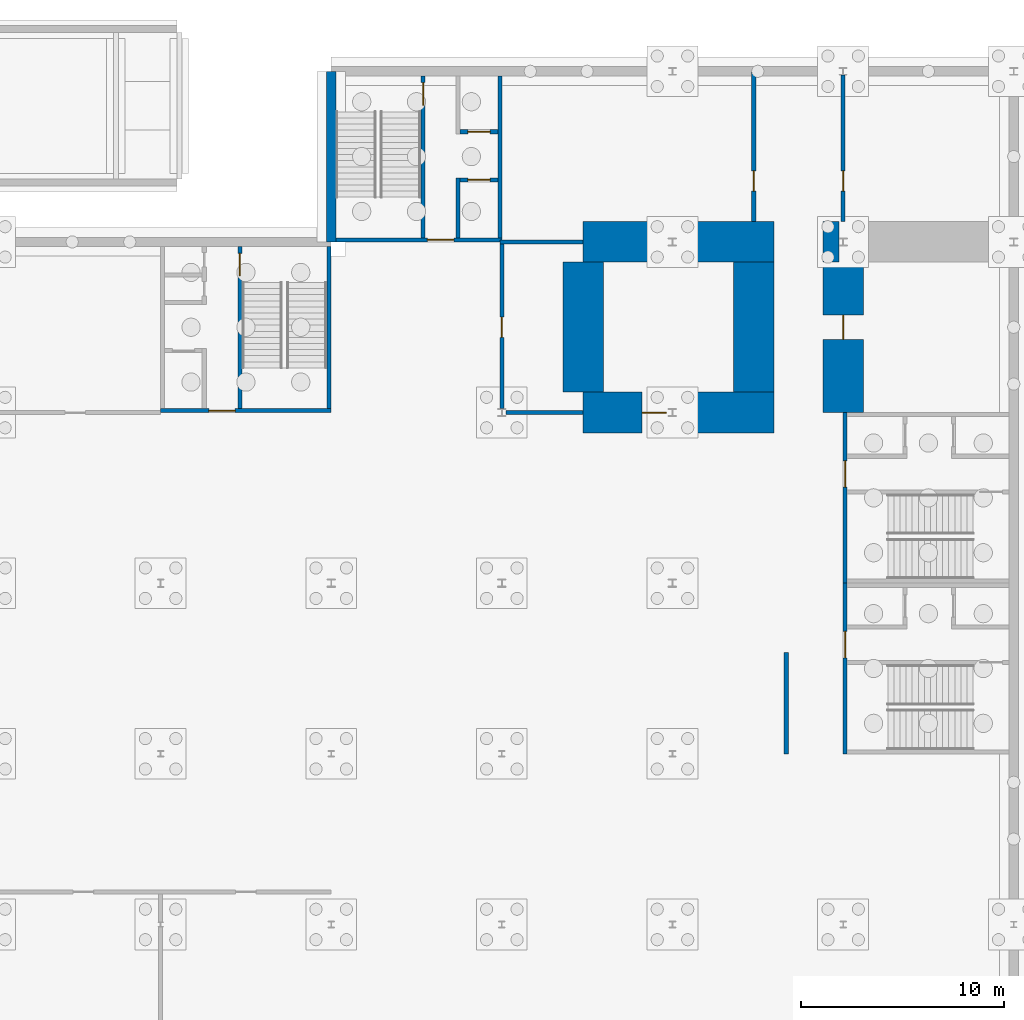
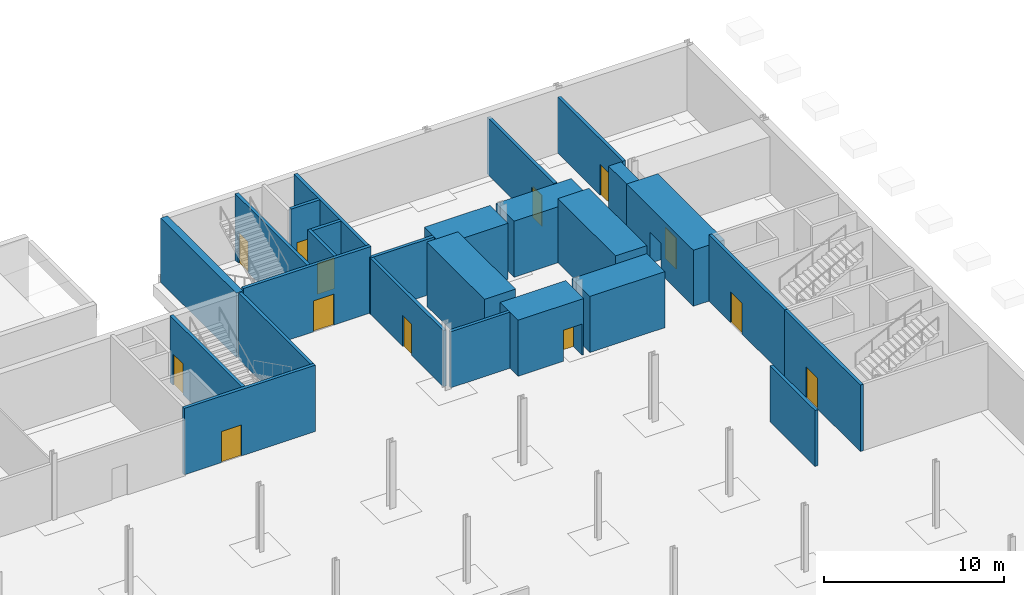
# One storey, part 29 of 35: 26 walls, 13 doors, 13 openings.
"""IFC4 building model written with IfcOpenShell, lengths in metres."""

from ifc_helpers import new_model, si_unit, direction, frame, frame_2d, origin, place, context, subcontext, project, spatial, rectangle, extrude, material, layer, layer_set, type_object, element, fill, save


model = new_model("IFC4")

# Units and contexts
model_context = context("Model", 3, precision=1e-05, world=origin(), true_north=direction((0.0, 1.0)))
body_context = subcontext(model_context, "Body", "Model", "MODEL_VIEW")
ifc_project = project(units=[si_unit("LENGTHUNIT", "METRE"), si_unit("AREAUNIT", "SQUARE_METRE"), si_unit("VOLUMEUNIT", "CUBIC_METRE"), si_unit("PLANEANGLEUNIT", "RADIAN"), si_unit("MASSUNIT", "GRAM", prefix="KILO")], contexts=[model_context])

# Site, building, storey
site_placement = place(None, origin())
site = spatial("IfcSite", under=ifc_project, at=site_placement, CompositionType="ELEMENT")
building_placement = place(site_placement, origin())
building = spatial("IfcBuilding", under=site, at=building_placement, Name="Ardhachandra Cancer Care Centre", CompositionType="ELEMENT")
storey_placement = place(building_placement, frame((0.0, 0.0, -4.5)))
storey = spatial("IfcBuildingStorey", under=building, at=storey_placement, Name="B1", CompositionType="ELEMENT", Elevation=-4.5)

# Wall
ifc_material_1 = material(Name="Gypsum board corridor partition on steel studs", Category="steel")
ifc_layer_1 = layer(ifc_material_1, 0.199951171875)
ifc_layer_set_1 = layer_set([ifc_layer_1], Name="Gypsum board corridor partition on steel studs")
wall_type_1 = type_object("IfcWallType", Name="CORRIDOR WALL 200 EI 120", PredefinedType="PARTITIONING", material=ifc_layer_set_1)
wall_1_placement = place(storey_placement, frame((120.197509765625, 88.199951171875, 0.0), z_axis=(0.0, 0.0, 1.0), x_axis=(1.0, 0.0, 0.0)))
element("IfcWall", 1, at=wall_1_placement, inside=storey, type_object=wall_type_1, Name="R/wall/B1/h0088200_0120198", PredefinedType="PARTITIONING", context=body_context, shape_type="SweptSolid", body=[
    extrude(rectangle(XDim=3.802490234375, YDim=0.199951171875, at=frame_2d((1.9013671875, 0.0))), origin(), (0.0, 0.0, 1.0), 3.800048828125),
])

# Wall, opening, door
wall_2_placement = place(storey_placement, frame((120.0, 88.3974609375, 0.0), z_axis=(0.0, 0.0, 1.0), x_axis=(0.0, 1.0, 0.0)))
wall_2 = element("IfcWall", 2, at=wall_2_placement, inside=storey, type_object=wall_type_1, Name="R/wall/B1/v0120000_0088398", PredefinedType="PARTITIONING", context=body_context, shape_type="SweptSolid", body=[
    extrude(rectangle(XDim=8.1025390625, YDim=0.199951171875, at=frame_2d((4.05126953125, 0.0))), origin(), (0.0, 0.0, 1.0), 3.800048828125),
])
opening_1_placement = place(wall_2_placement, frame((3.50244140625, 0.0, 0.0)))
opening_1 = element("IfcOpeningElement", 3, at=opening_1_placement, cuts=wall_2, Name="Opening B1-0018", PredefinedType="OPENING", context=body_context, shape_type="SweptSolid", body=[
    extrude(rectangle(XDim=1.0, YDim=2.10009765625, at=frame_2d((0.5, 1.050048828125))), frame((0.0, 0.10986328125, 0.0), z_axis=(0.0, -1.0, 0.0), x_axis=(1.0, 0.0, 0.0)), (0.0, 0.0, 1.0), 0.219970703125),
])
ifc_material_2 = material(Name="Steel fire door", Category="steel")
door_type_1 = type_object("IfcDoorType", Name="FIRE DOOR SINGLE 1000x2100 FD60", OperationType="NOTDEFINED", PredefinedType="DOOR", material=ifc_material_2)
door_1_placement = place(opening_1_placement, origin())
door_1 = element("IfcDoor", 4, at=door_1_placement, inside=storey, type_object=door_type_1, Name="Door B1-0018", OperationType="SINGLE_SWING_RIGHT", OverallHeight=2.10009765625, OverallWidth=1.0, PredefinedType="DOOR", context=body_context, shape_type="SweptSolid", body=[
    extrude(rectangle(XDim=1.0, YDim=2.10009765625, at=frame_2d((0.5, 1.050048828125))), frame((0.0, 0.02490234375, 0.0), z_axis=(0.0, -1.0, 0.0), x_axis=(1.0, 0.0, 0.0)), (0.0, 0.0, 1.0), 0.050048828125),
])
fill(opening_1, door_1)

# Wall
wall_3_placement = place(storey_placement, frame((134.0, 71.39990234375, 0.0), z_axis=(0.0, 0.0, 1.0), x_axis=(0.0, 1.0, 0.0)))
element("IfcWall", 5, at=wall_3_placement, inside=storey, type_object=wall_type_1, Name="R/wall/B1/v0134000_0071400", PredefinedType="PARTITIONING", context=body_context, shape_type="SweptSolid", body=[
    extrude(rectangle(XDim=5.0, YDim=0.199951171875, at=frame_2d((2.5, 0.0))), origin(), (0.0, 0.0, 1.0), 3.800048828125),
])

# Wall, opening, door
wall_4_placement = place(storey_placement, frame((136.800048828125, 97.60009765625, 0.0), z_axis=(0.0, 0.0, 1.0), x_axis=(0.0, 1.0, 0.0)))
wall_4 = element("IfcWall", 6, at=wall_4_placement, inside=storey, type_object=wall_type_1, Name="R/wall/B1/v0136800_0097600", PredefinedType="PARTITIONING", context=body_context, shape_type="SweptSolid", body=[
    extrude(rectangle(XDim=7.21435546875, YDim=0.199951171875, at=frame_2d((3.607177734375, 0.0))), origin(), (0.0, 0.0, 1.0), 3.800048828125),
])
opening_2_placement = place(wall_4_placement, frame((1.5, 0.0, 0.0)))
opening_2 = element("IfcOpeningElement", 7, at=opening_2_placement, cuts=wall_4, Name="Opening B1-0021", PredefinedType="OPENING", context=body_context, shape_type="SweptSolid", body=[
    extrude(rectangle(XDim=1.0, YDim=2.10009765625, at=frame_2d((0.5, 1.050048828125))), frame((0.0, 0.10986328125, 0.0), z_axis=(0.0, -1.0, 0.0), x_axis=(1.0, 0.0, 0.0)), (0.0, 0.0, 1.0), 0.219970703125),
])
door_2_placement = place(opening_2_placement, origin())
door_2 = element("IfcDoor", 8, at=door_2_placement, inside=storey, type_object=door_type_1, Name="Door B1-0021", OperationType="SINGLE_SWING_LEFT", OverallHeight=2.10009765625, OverallWidth=1.0, PredefinedType="DOOR", context=body_context, shape_type="SweptSolid", body=[
    extrude(rectangle(XDim=1.0, YDim=2.10009765625, at=frame_2d((0.5, 1.050048828125))), frame((0.0, 0.02490234375, 0.0), z_axis=(0.0, -1.0, 0.0), x_axis=(1.0, 0.0, 0.0)), (0.0, 0.0, 1.0), 0.050048828125),
])
fill(opening_2, door_2)

ifc_material_3 = material(Name="Concrete M40", Category="concrete")
ifc_layer_2 = layer(ifc_material_3, 0.199951171875)
ifc_layer_set_2 = layer_set([ifc_layer_2], Name="Concrete M40")
wall_type_2 = type_object("IfcWallType", Name="Core wall RC 200", PredefinedType="SOLIDWALL", material=ifc_layer_set_2)
wall_5_placement = place(storey_placement, frame((111.60009765625, 88.300048828125, 0.0), z_axis=(0.0, 0.0, 1.0), x_axis=(-1.0, 0.0, 0.0)))
wall_5 = element("IfcWall", 9, at=wall_5_placement, inside=storey, type_object=wall_type_2, Name="Core wall K7 ENT", PredefinedType="SOLIDWALL", context=body_context, shape_type="SweptSolid", body=[
    extrude(rectangle(XDim=8.400146484375, YDim=0.199951171875, at=frame_2d((4.2001953125, 0.0))), origin(), (0.0, 0.0, 1.0), 4.5),
])
opening_3_placement = place(wall_5_placement, frame((4.72509765625, 0.0, 0.0)))
opening_3 = element("IfcOpeningElement", 10, at=opening_3_placement, cuts=wall_5, Name="Opening B1-K07-1", PredefinedType="OPENING", context=body_context, shape_type="SweptSolid", body=[
    extrude(rectangle(XDim=1.300048828125, YDim=2.10009765625, at=frame_2d((0.64990234375, 1.050048828125))), frame((0.0, 0.10986328125, 0.0), z_axis=(0.0, -1.0, 0.0), x_axis=(1.0, 0.0, 0.0)), (0.0, 0.0, 1.0), 0.219970703125),
])
ifc_material_4 = material(Name="Steel door set", Category="steel")
door_type_2 = type_object("IfcDoorType", Name="Core entry double door 1300x2100 FD60", OperationType="DOUBLE_DOOR_DOUBLE_SWING", PredefinedType="DOOR", material=ifc_material_4)
door_3_placement = place(opening_3_placement, origin())
door_3 = element("IfcDoor", 11, at=door_3_placement, inside=storey, type_object=door_type_2, Name="Core entry door", OperationType="DOUBLE_DOOR_DOUBLE_SWING", OverallHeight=2.10009765625, OverallWidth=1.300048828125, PredefinedType="DOOR", context=body_context, shape_type="SweptSolid", body=[
    extrude(rectangle(XDim=1.300048828125, YDim=2.10009765625, at=frame_2d((0.64990234375, 1.050048828125))), frame((0.0, 0.02490234375, 0.0), z_axis=(0.0, -1.0, 0.0), x_axis=(1.0, 0.0, 0.0)), (0.0, 0.0, 1.0), 0.050048828125),
])
fill(opening_3, door_3)

# Wall
wall_6_placement = place(storey_placement, frame((111.5, 88.39990234375, 0.0), z_axis=(0.0, 0.0, 1.0), x_axis=(0.0, 1.0, 0.0)))
element("IfcWall", 12, at=wall_6_placement, inside=storey, type_object=wall_type_2, Name="Core wall K7 UW", PredefinedType="SOLIDWALL", context=body_context, shape_type="SweptSolid", body=[
    extrude(rectangle(XDim=7.97509765625, YDim=0.199951171875, at=frame_2d((3.987548828125, 0.0))), origin(), (0.0, 0.0, 1.0), 4.5),
])

# Wall, opening, door
wall_7_placement = place(storey_placement, frame((107.10009765625, 88.39990234375, 0.0), z_axis=(0.0, 0.0, 1.0), x_axis=(0.0, 1.0, 0.0)))
wall_7 = element("IfcWall", 13, at=wall_7_placement, inside=storey, type_object=wall_type_2, Name="Core wall K7 P1", PredefinedType="SOLIDWALL", context=body_context, shape_type="SweptSolid", body=[
    extrude(rectangle(XDim=7.97509765625, YDim=0.199951171875, at=frame_2d((3.987548828125, 0.0))), origin(), (0.0, 0.0, 1.0), 4.5),
])
opening_4_placement = place(wall_7_placement, frame((6.53759765625, 0.0, 0.0)))
opening_4 = element("IfcOpeningElement", 14, at=opening_4_placement, cuts=wall_7, Name="Opening B1-K07-2", PredefinedType="OPENING", context=body_context, shape_type="SweptSolid", body=[
    extrude(rectangle(XDim=1.10009765625, YDim=2.10009765625, at=frame_2d((0.550048828125, 1.050048828125))), frame((0.0, 0.10986328125, 0.0), z_axis=(0.0, -1.0, 0.0), x_axis=(1.0, 0.0, 0.0)), (0.0, 0.0, 1.0), 0.219970703125),
])
ifc_material_5 = material(Name="Steel door set", Category="steel")
door_type_3 = type_object("IfcDoorType", Name="Stair door 1100x2100 FD60S", OperationType="NOTDEFINED", PredefinedType="DOOR", material=ifc_material_5)
door_4_placement = place(opening_4_placement, origin())
door_4 = element("IfcDoor", 15, at=door_4_placement, inside=storey, type_object=door_type_3, Name="Stair door", OperationType="SINGLE_SWING_LEFT", OverallHeight=2.10009765625, OverallWidth=1.10009765625, PredefinedType="DOOR", context=body_context, shape_type="SweptSolid", body=[
    extrude(rectangle(XDim=1.10009765625, YDim=2.10009765625, at=frame_2d((0.550048828125, 1.050048828125))), frame((0.0, 0.02490234375, 0.0), z_axis=(0.0, -1.0, 0.0), x_axis=(1.0, 0.0, 0.0)), (0.0, 0.0, 1.0), 0.050048828125),
])
fill(opening_4, door_4)

wall_8_placement = place(storey_placement, frame((136.89990234375, 71.39990234375, 0.0), z_axis=(0.0, 0.0, 1.0), x_axis=(0.0, 1.0, 0.0)))
wall_8 = element("IfcWall", 16, at=wall_8_placement, inside=storey, type_object=wall_type_2, Name="Core wall K10 ENT", PredefinedType="SOLIDWALL", context=body_context, shape_type="SweptSolid", body=[
    extrude(rectangle(XDim=8.400146484375, YDim=0.199951171875, at=frame_2d((4.2001953125, 0.0))), origin(), (0.0, 0.0, 1.0), 4.5),
])
opening_5_placement = place(wall_8_placement, frame((4.72509765625, 0.0, 0.0)))
opening_5 = element("IfcOpeningElement", 17, at=opening_5_placement, cuts=wall_8, Name="Opening B1-K10-1", PredefinedType="OPENING", context=body_context, shape_type="SweptSolid", body=[
    extrude(rectangle(XDim=1.300048828125, YDim=2.10009765625, at=frame_2d((0.64990234375, 1.050048828125))), frame((0.0, 0.10986328125, 0.0), z_axis=(0.0, -1.0, 0.0), x_axis=(1.0, 0.0, 0.0)), (0.0, 0.0, 1.0), 0.219970703125),
])
door_5_placement = place(opening_5_placement, origin())
door_5 = element("IfcDoor", 18, at=door_5_placement, inside=storey, type_object=door_type_2, Name="Core entry door", OperationType="DOUBLE_DOOR_DOUBLE_SWING", OverallHeight=2.10009765625, OverallWidth=1.300048828125, PredefinedType="DOOR", context=body_context, shape_type="SweptSolid", body=[
    extrude(rectangle(XDim=1.300048828125, YDim=2.10009765625, at=frame_2d((0.64990234375, 1.050048828125))), frame((0.0, 0.02490234375, 0.0), z_axis=(0.0, -1.0, 0.0), x_axis=(1.0, 0.0, 0.0)), (0.0, 0.0, 1.0), 0.050048828125),
])
fill(opening_5, door_5)

wall_9_placement = place(storey_placement, frame((111.824951171875, 96.699951171875, 0.0), z_axis=(0.0, 0.0, 1.0), x_axis=(1.0, 0.0, 0.0)))
wall_9 = element("IfcWall", 19, at=wall_9_placement, inside=storey, type_object=wall_type_2, Name="Core wall K12 ENT", PredefinedType="SOLIDWALL", context=body_context, shape_type="SweptSolid", body=[
    extrude(rectangle(XDim=8.175048828125, YDim=0.199951171875, at=frame_2d((4.08740234375, 0.0))), origin(), (0.0, 0.0, 1.0), 4.5),
])
opening_6_placement = place(wall_9_placement, frame((4.512451171875, 0.0, 0.0)))
opening_6 = element("IfcOpeningElement", 20, at=opening_6_placement, cuts=wall_9, Name="Opening B1-K12-1", PredefinedType="OPENING", context=body_context, shape_type="SweptSolid", body=[
    extrude(rectangle(XDim=1.300048828125, YDim=2.10009765625, at=frame_2d((0.64990234375, 1.050048828125))), frame((0.0, 0.10986328125, 0.0), z_axis=(0.0, -1.0, 0.0), x_axis=(1.0, 0.0, 0.0)), (0.0, 0.0, 1.0), 0.219970703125),
])
door_6_placement = place(opening_6_placement, origin())
door_6 = element("IfcDoor", 21, at=door_6_placement, inside=storey, type_object=door_type_2, Name="Core entry door", OperationType="DOUBLE_DOOR_DOUBLE_SWING", OverallHeight=2.10009765625, OverallWidth=1.300048828125, PredefinedType="DOOR", context=body_context, shape_type="SweptSolid", body=[
    extrude(rectangle(XDim=1.300048828125, YDim=2.10009765625, at=frame_2d((0.64990234375, 1.050048828125))), frame((0.0, 0.02490234375, 0.0), z_axis=(0.0, -1.0, 0.0), x_axis=(1.0, 0.0, 0.0)), (0.0, 0.0, 1.0), 0.050048828125),
])
fill(opening_6, door_6)

# Wall
wall_10_placement = place(storey_placement, frame((119.89990234375, 96.800048828125, 0.0), z_axis=(0.0, 0.0, 1.0), x_axis=(0.0, 1.0, 0.0)))
element("IfcWall", 22, at=wall_10_placement, inside=storey, type_object=wall_type_2, Name="Core wall K12 UE", PredefinedType="SOLIDWALL", context=body_context, shape_type="SweptSolid", body=[
    extrude(rectangle(XDim=7.974853515625, YDim=0.199951171875, at=frame_2d((3.9873046875, 0.0))), origin(), (0.0, 0.0, 1.0), 4.5),
])

# Wall, opening, door
wall_11_placement = place(storey_placement, frame((116.125, 96.800048828125, 0.0), z_axis=(0.0, 0.0, 1.0), x_axis=(0.0, 1.0, 0.0)))
wall_11 = element("IfcWall", 23, at=wall_11_placement, inside=storey, type_object=wall_type_2, Name="Core wall K12 P1", PredefinedType="SOLIDWALL", context=body_context, shape_type="SweptSolid", body=[
    extrude(rectangle(XDim=7.974853515625, YDim=0.199951171875, at=frame_2d((3.9873046875, 0.0))), origin(), (0.0, 0.0, 1.0), 4.5),
])
opening_7_placement = place(wall_11_placement, frame((6.53759765625, 0.0, 0.0)))
opening_7 = element("IfcOpeningElement", 24, at=opening_7_placement, cuts=wall_11, Name="Opening B1-K12-2", PredefinedType="OPENING", context=body_context, shape_type="SweptSolid", body=[
    extrude(rectangle(XDim=1.10009765625, YDim=2.10009765625, at=frame_2d((0.550048828125, 1.050048828125))), frame((0.0, 0.10986328125, 0.0), z_axis=(0.0, -1.0, 0.0), x_axis=(1.0, 0.0, 0.0)), (0.0, 0.0, 1.0), 0.219970703125),
])
door_7_placement = place(opening_7_placement, origin())
door_7 = element("IfcDoor", 25, at=door_7_placement, inside=storey, type_object=door_type_3, Name="Stair door", OperationType="SINGLE_SWING_RIGHT", OverallHeight=2.10009765625, OverallWidth=1.10009765625, PredefinedType="DOOR", context=body_context, shape_type="SweptSolid", body=[
    extrude(rectangle(XDim=1.10009765625, YDim=2.10009765625, at=frame_2d((0.550048828125, 1.050048828125))), frame((0.0, 0.02490234375, 0.0), z_axis=(0.0, -1.0, 0.0), x_axis=(1.0, 0.0, 0.0)), (0.0, 0.0, 1.0), 0.050048828125),
])
fill(opening_7, door_7)

# Wall
wall_12_placement = place(storey_placement, frame((117.85009765625, 96.800048828125, 0.0), z_axis=(0.0, 0.0, 1.0), x_axis=(0.0, 1.0, 0.0)))
element("IfcWall", 26, at=wall_12_placement, inside=storey, type_object=wall_type_2, Name="Core wall K12 P2A", PredefinedType="SOLIDWALL", context=body_context, shape_type="SweptSolid", body=[
    extrude(rectangle(XDim=2.949951171875, YDim=0.199951171875, at=frame_2d((1.47509765625, 0.0))), origin(), (0.0, 0.0, 1.0), 4.5),
])

# Wall, opening, door
wall_13_placement = place(storey_placement, frame((117.949951171875, 99.64990234375, 0.0), z_axis=(0.0, 0.0, 1.0), x_axis=(1.0, 0.0, 0.0)))
wall_13 = element("IfcWall", 27, at=wall_13_placement, inside=storey, type_object=wall_type_2, Name="Core wall K12 W1", PredefinedType="SOLIDWALL", context=body_context, shape_type="SweptSolid", body=[
    extrude(rectangle(XDim=1.85009765625, YDim=0.199951171875, at=frame_2d((0.925048828125, 0.0))), origin(), (0.0, 0.0, 1.0), 4.5),
])
opening_8_placement = place(wall_13_placement, frame((0.375, 0.0, 0.0)))
opening_8 = element("IfcOpeningElement", 28, at=opening_8_placement, cuts=wall_13, Name="Opening B1-K12-3", PredefinedType="OPENING", context=body_context, shape_type="SweptSolid", body=[
    extrude(rectangle(XDim=1.10009765625, YDim=2.10009765625, at=frame_2d((0.550048828125, 1.050048828125))), frame((0.0, 0.10986328125, 0.0), z_axis=(0.0, -1.0, 0.0), x_axis=(1.0, 0.0, 0.0)), (0.0, 0.0, 1.0), 0.219970703125),
])
ifc_material_6 = material(Name="Stainless steel (grade 304)", Category="steel")
door_type_4 = type_object("IfcDoorType", Name="Lift landing door 1100x2100", OperationType="DOUBLE_DOOR_SLIDING", PredefinedType="DOOR", material=ifc_material_6)
door_8_placement = place(opening_8_placement, origin())
door_8 = element("IfcDoor", 29, at=door_8_placement, inside=storey, type_object=door_type_4, Name="Lift landing door LF-K12-1", OperationType="DOUBLE_DOOR_SLIDING", OverallHeight=2.10009765625, OverallWidth=1.10009765625, PredefinedType="DOOR", context=body_context, shape_type="SweptSolid", body=[
    extrude(rectangle(XDim=1.10009765625, YDim=2.10009765625, at=frame_2d((0.550048828125, 1.050048828125))), frame((0.0, 0.02490234375, 0.0), z_axis=(0.0, -1.0, 0.0), x_axis=(1.0, 0.0, 0.0)), (0.0, 0.0, 1.0), 0.050048828125),
])
fill(opening_8, door_8)

wall_14_placement = place(storey_placement, frame((117.949951171875, 102.02490234375, 0.0), z_axis=(0.0, 0.0, 1.0), x_axis=(1.0, 0.0, 0.0)))
wall_14 = element("IfcWall", 30, at=wall_14_placement, inside=storey, type_object=wall_type_2, Name="Core wall K12 W2", PredefinedType="SOLIDWALL", context=body_context, shape_type="SweptSolid", body=[
    extrude(rectangle(XDim=1.85009765625, YDim=0.199951171875, at=frame_2d((0.925048828125, 0.0))), origin(), (0.0, 0.0, 1.0), 4.5),
])
opening_9_placement = place(wall_14_placement, frame((0.375, 0.0, 0.0)))
opening_9 = element("IfcOpeningElement", 31, at=opening_9_placement, cuts=wall_14, Name="Opening B1-K12-4", PredefinedType="OPENING", context=body_context, shape_type="SweptSolid", body=[
    extrude(rectangle(XDim=1.10009765625, YDim=2.10009765625, at=frame_2d((0.550048828125, 1.050048828125))), frame((0.0, 0.10986328125, 0.0), z_axis=(0.0, -1.0, 0.0), x_axis=(1.0, 0.0, 0.0)), (0.0, 0.0, 1.0), 0.219970703125),
])
door_9_placement = place(opening_9_placement, origin())
door_9 = element("IfcDoor", 32, at=door_9_placement, inside=storey, type_object=door_type_4, Name="Lift landing door LF-K12-2", OperationType="DOUBLE_DOOR_SLIDING", OverallHeight=2.10009765625, OverallWidth=1.10009765625, PredefinedType="DOOR", context=body_context, shape_type="SweptSolid", body=[
    extrude(rectangle(XDim=1.10009765625, YDim=2.10009765625, at=frame_2d((0.550048828125, 1.050048828125))), frame((0.0, 0.02490234375, 0.0), z_axis=(0.0, -1.0, 0.0), x_axis=(1.0, 0.0, 0.0)), (0.0, 0.0, 1.0), 0.050048828125),
])
fill(opening_9, door_9)

wall_15_placement = place(storey_placement, frame((136.89990234375, 79.800048828125, 0.0), z_axis=(0.0, 0.0, 1.0), x_axis=(0.0, 1.0, 0.0)))
wall_15 = element("IfcWall", 33, at=wall_15_placement, inside=storey, type_object=wall_type_2, Name="Core wall K13 ENT", PredefinedType="SOLIDWALL", context=body_context, shape_type="SweptSolid", body=[
    extrude(rectangle(XDim=8.39990234375, YDim=0.199951171875, at=frame_2d((4.199951171875, 0.0))), origin(), (0.0, 0.0, 1.0), 4.5),
])
opening_10_placement = place(wall_15_placement, frame((4.72509765625, 0.0, 0.0)))
opening_10 = element("IfcOpeningElement", 34, at=opening_10_placement, cuts=wall_15, Name="Opening B1-K13-1", PredefinedType="OPENING", context=body_context, shape_type="SweptSolid", body=[
    extrude(rectangle(XDim=1.300048828125, YDim=2.10009765625, at=frame_2d((0.64990234375, 1.050048828125))), frame((0.0, 0.10986328125, 0.0), z_axis=(0.0, -1.0, 0.0), x_axis=(1.0, 0.0, 0.0)), (0.0, 0.0, 1.0), 0.219970703125),
])
door_10_placement = place(opening_10_placement, origin())
door_10 = element("IfcDoor", 35, at=door_10_placement, inside=storey, type_object=door_type_2, Name="Core entry door", OperationType="DOUBLE_DOOR_DOUBLE_SWING", OverallHeight=2.10009765625, OverallWidth=1.300048828125, PredefinedType="DOOR", context=body_context, shape_type="SweptSolid", body=[
    extrude(rectangle(XDim=1.300048828125, YDim=2.10009765625, at=frame_2d((0.64990234375, 1.050048828125))), frame((0.0, 0.02490234375, 0.0), z_axis=(0.0, -1.0, 0.0), x_axis=(1.0, 0.0, 0.0)), (0.0, 0.0, 1.0), 0.050048828125),
])
fill(opening_10, door_10)

# Wall
ifc_material_7 = material(Name="Brick masonry", Category="masonry")
ifc_layer_3 = layer(ifc_material_7, 0.199951171875)
ifc_layer_set_3 = layer_set([ifc_layer_3], Name="Brick masonry")
wall_type_3 = type_object("IfcWallType", Name="PLANT ROOM WALL 200", PredefinedType="SOLIDWALL", material=ifc_layer_set_3)
wall_16_placement = place(storey_placement, frame((119.89990234375, 96.60009765625, 0.0), z_axis=(0.0, 0.0, 1.0), x_axis=(1.0, 0.0, 0.0)))
element("IfcWall", 36, at=wall_16_placement, inside=storey, type_object=wall_type_3, Name="R/wall/B1/h0096600_0119900", PredefinedType="SOLIDWALL", context=body_context, shape_type="SweptSolid", body=[
    extrude(rectangle(XDim=4.10009765625, YDim=0.199951171875, at=frame_2d((2.050048828125, 0.0))), origin(), (0.0, 0.0, 1.0), 3.800048828125),
])

# Wall, opening, door
wall_17_placement = place(storey_placement, frame((132.39990234375, 97.60009765625, 0.0), z_axis=(0.0, 0.0, 1.0), x_axis=(0.0, 1.0, 0.0)))
wall_17 = element("IfcWall", 37, at=wall_17_placement, inside=storey, type_object=wall_type_3, Name="R/wall/B1/v0132400_0097600", PredefinedType="SOLIDWALL", context=body_context, shape_type="SweptSolid", body=[
    extrude(rectangle(XDim=7.39990234375, YDim=0.199951171875, at=frame_2d((3.699951171875, 0.0))), origin(), (0.0, 0.0, 1.0), 3.85009765625),
])
opening_11_placement = place(wall_17_placement, frame((1.5, 0.0, 0.0)))
opening_11 = element("IfcOpeningElement", 38, at=opening_11_placement, cuts=wall_17, Name="Opening B1-0019", PredefinedType="OPENING", context=body_context, shape_type="SweptSolid", body=[
    extrude(rectangle(XDim=1.0, YDim=2.10009765625, at=frame_2d((0.5, 1.050048828125))), frame((0.0, 0.10986328125, 0.0), z_axis=(0.0, -1.0, 0.0), x_axis=(1.0, 0.0, 0.0)), (0.0, 0.0, 1.0), 0.219970703125),
])
door_11_placement = place(opening_11_placement, origin())
door_11 = element("IfcDoor", 39, at=door_11_placement, inside=storey, type_object=door_type_1, Name="Door B1-0019", OperationType="SINGLE_SWING_RIGHT", OverallHeight=2.10009765625, OverallWidth=1.0, PredefinedType="DOOR", context=body_context, shape_type="SweptSolid", body=[
    extrude(rectangle(XDim=1.0, YDim=2.10009765625, at=frame_2d((0.5, 1.050048828125))), frame((0.0, 0.02490234375, 0.0), z_axis=(0.0, -1.0, 0.0), x_axis=(1.0, 0.0, 0.0)), (0.0, 0.0, 1.0), 0.050048828125),
])
fill(opening_11, door_11)

# Wall
ifc_material_8 = material(Name="Concrete M40", Category="concrete")
ifc_layer_4 = layer(ifc_material_8, 0.449951171875)
ifc_layer_set_4 = layer_set([ifc_layer_4], Name="Concrete M40")
wall_type_4 = type_object("IfcWallType", Name="Retaining wall 450", PredefinedType="SOLIDWALL", material=ifc_layer_set_4)
wall_18_placement = place(storey_placement, frame((111.60009765625, 105.0, 0.0), z_axis=(0.0, 0.0, 1.0), x_axis=(0.0, -1.0, 0.0)))
element("IfcWall", 40, at=wall_18_placement, inside=storey, type_object=wall_type_4, Name="Basement retaining wall 06", PredefinedType="SOLIDWALL", context=body_context, shape_type="SweptSolid", body=[
    extrude(rectangle(XDim=8.39990234375, YDim=0.449951171875, at=frame_2d((4.199951171875, 0.0))), origin(), (0.0, 0.0, 1.0), 4.35009765625),
])

# Wall, opening, door
ifc_material_9 = material(Name="Concrete M30", Category="concrete")
ifc_layer_5 = layer(ifc_material_9, 2.0)
ifc_layer_set_5 = layer_set([ifc_layer_5], Name="Concrete M30")
wall_type_5 = type_object("IfcWallType", Name="SHIELDING WALL 2000", PredefinedType="SOLIDWALL", material=ifc_layer_set_5)
wall_19_placement = place(storey_placement, frame((124.0, 88.199951171875, 0.0), z_axis=(0.0, 0.0, 1.0), x_axis=(1.0, 0.0, 0.0)))
wall_19 = element("IfcWall", 41, at=wall_19_placement, inside=storey, type_object=wall_type_5, Name="R/wall/B1/h0088200_0124000", PredefinedType="SOLIDWALL", context=body_context, shape_type="SweptSolid", body=[
    extrude(rectangle(XDim=4.202392578125, YDim=2.0, at=frame_2d((2.10107421875, 0.0))), origin(), (0.0, 0.0, 1.0), 3.800048828125),
])
opening_12_placement = place(wall_19_placement, frame((2.89990234375, 0.0, 0.0)))
opening_12 = element("IfcOpeningElement", 42, at=opening_12_placement, cuts=wall_19, Name="Opening B1-0016", PredefinedType="OPENING", context=body_context, shape_type="SweptSolid", body=[
    extrude(rectangle(XDim=1.199951171875, YDim=2.10009765625, at=frame_2d((0.60009765625, 1.050048828125))), frame((0.0, 1.010009765625, 0.0), z_axis=(0.0, -1.0, 0.0), x_axis=(1.0, 0.0, 0.0)), (0.0, 0.0, 1.0), 2.02001953125),
])
ifc_material_10 = material(Name="Lead-lined timber door", Category="wood")
door_type_5 = type_object("IfcDoorType", Name="LEAD-LINED DOOR 1200x2100 FD60", OperationType="NOTDEFINED", PredefinedType="DOOR", material=ifc_material_10)
door_12_placement = place(opening_12_placement, origin())
door_12 = element("IfcDoor", 43, at=door_12_placement, inside=storey, type_object=door_type_5, Name="Door B1-0016", OperationType="SINGLE_SWING_RIGHT", OverallHeight=2.10009765625, OverallWidth=1.199951171875, PredefinedType="DOOR", context=body_context, shape_type="SweptSolid", body=[
    extrude(rectangle(XDim=1.199951171875, YDim=2.10009765625, at=frame_2d((0.60009765625, 1.050048828125))), frame((0.0, 0.02490234375, 0.0), z_axis=(0.0, -1.0, 0.0), x_axis=(1.0, 0.0, 0.0)), (0.0, 0.0, 1.0), 0.050048828125),
])
fill(opening_12, door_12)

# Walls
wall_20_placement = place(storey_placement, frame((128.597412109375, 88.199951171875, 0.0), z_axis=(0.0, 0.0, 1.0), x_axis=(1.0, 0.0, 0.0)))
element("IfcWall", 44, at=wall_20_placement, inside=storey, type_object=wall_type_5, Name="R/wall/B1/h0088200_0128598", PredefinedType="SOLIDWALL", context=body_context, shape_type="SweptSolid", body=[
    extrude(rectangle(XDim=4.802490234375, YDim=2.0, at=frame_2d((2.4013671875, 0.0))), origin(), (0.0, 0.0, 1.0), 3.800048828125),
])
wall_21_placement = place(storey_placement, frame((124.0, 96.60009765625, 0.0), z_axis=(0.0, 0.0, 1.0), x_axis=(1.0, 0.0, 0.0)))
element("IfcWall", 45, at=wall_21_placement, inside=storey, type_object=wall_type_5, Name="R/wall/B1/h0096600_0124000", PredefinedType="SOLIDWALL", context=body_context, shape_type="SweptSolid", body=[
    extrude(rectangle(XDim=4.202392578125, YDim=2.0, at=frame_2d((2.10107421875, 0.0))), origin(), (0.0, 0.0, 1.0), 3.800048828125),
])
wall_22_placement = place(storey_placement, frame((128.597412109375, 96.60009765625, 0.0), z_axis=(0.0, 0.0, 1.0), x_axis=(1.0, 0.0, 0.0)))
element("IfcWall", 46, at=wall_22_placement, inside=storey, type_object=wall_type_5, Name="R/wall/B1/h0096600_0128598", PredefinedType="SOLIDWALL", context=body_context, shape_type="SweptSolid", body=[
    extrude(rectangle(XDim=4.802490234375, YDim=2.0, at=frame_2d((2.4013671875, 0.0))), origin(), (0.0, 0.0, 1.0), 3.800048828125),
])
wall_23_placement = place(storey_placement, frame((135.800048828125, 96.60009765625, 0.0), z_axis=(0.0, 0.0, 1.0), x_axis=(1.0, 0.0, 0.0)))
element("IfcWall", 47, at=wall_23_placement, inside=storey, type_object=wall_type_5, Name="R/wall/B1/h0096600_0135800", PredefinedType="SOLIDWALL", context=body_context, shape_type="SweptSolid", body=[
    extrude(rectangle(XDim=0.802490234375, YDim=2.0, at=frame_2d((0.4013671875, 0.0))), origin(), (0.0, 0.0, 1.0), 3.800048828125),
])
for number, where, z_axis, x_axis, name in (
    (48, (124.0, 89.199951171875, 0.0), (0.0, 0.0, 1.0), (0.0, 1.0, 0.0), "R/wall/B1/v0124000_0089200"),
    (49, (132.39990234375, 89.199951171875, 0.0), (0.0, 0.0, 1.0), (0.0, 1.0, 0.0), "R/wall/B1/v0132400_0089200"),
):
    element("IfcWall", number, at=place(storey_placement, frame(where, z_axis=z_axis, x_axis=x_axis)), inside=storey, type_object=wall_type_5, Name=name, PredefinedType="SOLIDWALL", context=body_context, shape_type="SweptSolid", body=[
        extrude(rectangle(XDim=6.400146484375, YDim=2.0, at=frame_2d((3.2001953125, 0.0))), origin(), (0.0, 0.0, 1.0), 4.35009765625),
    ])

# Wall, opening, door
wall_24_placement = place(storey_placement, frame((136.800048828125, 88.199951171875, 0.0), z_axis=(0.0, 0.0, 1.0), x_axis=(0.0, 1.0, 0.0)))
wall_24 = element("IfcWall", 50, at=wall_24_placement, inside=storey, type_object=wall_type_5, Name="R/wall/B1/v0136800_0088200", PredefinedType="SOLIDWALL", context=body_context, shape_type="SweptSolid", body=[
    extrude(rectangle(XDim=7.400146484375, YDim=2.0, at=frame_2d((3.7001953125, 0.0))), origin(), (0.0, 0.0, 1.0), 3.800048828125),
])
opening_13_placement = place(wall_24_placement, frame((3.60009765625, 0.0, 0.0)))
opening_13 = element("IfcOpeningElement", 51, at=opening_13_placement, cuts=wall_24, Name="Opening B1-0020", PredefinedType="OPENING", context=body_context, shape_type="SweptSolid", body=[
    extrude(rectangle(XDim=1.199951171875, YDim=2.10009765625, at=frame_2d((0.60009765625, 1.050048828125))), frame((0.0, 1.010009765625, 0.0), z_axis=(0.0, -1.0, 0.0), x_axis=(1.0, 0.0, 0.0)), (0.0, 0.0, 1.0), 2.02001953125),
])
door_13_placement = place(opening_13_placement, origin())
door_13 = element("IfcDoor", 52, at=door_13_placement, inside=storey, type_object=door_type_5, Name="Door B1-0020", OperationType="SINGLE_SWING_RIGHT", OverallHeight=2.10009765625, OverallWidth=1.199951171875, PredefinedType="DOOR", context=body_context, shape_type="SweptSolid", body=[
    extrude(rectangle(XDim=1.199951171875, YDim=2.10009765625, at=frame_2d((0.60009765625, 1.050048828125))), frame((0.0, 0.02490234375, 0.0), z_axis=(0.0, -1.0, 0.0), x_axis=(1.0, 0.0, 0.0)), (0.0, 0.0, 1.0), 0.050048828125),
])
fill(opening_13, door_13)

save(model, "model.ifc")
